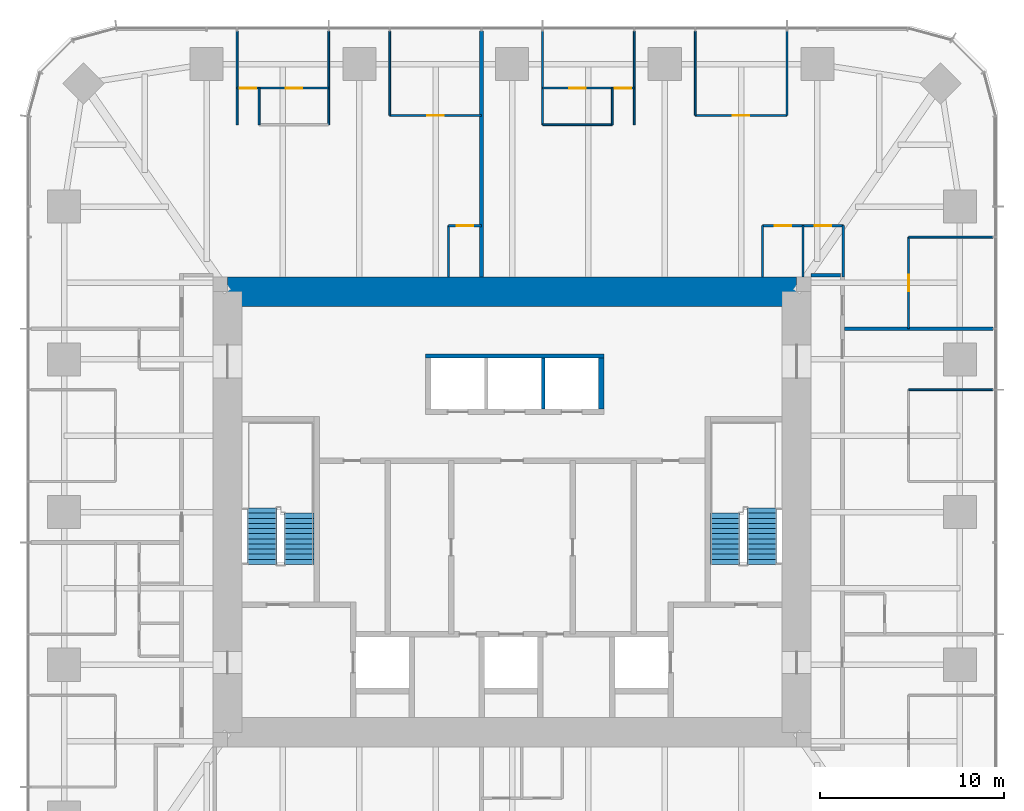
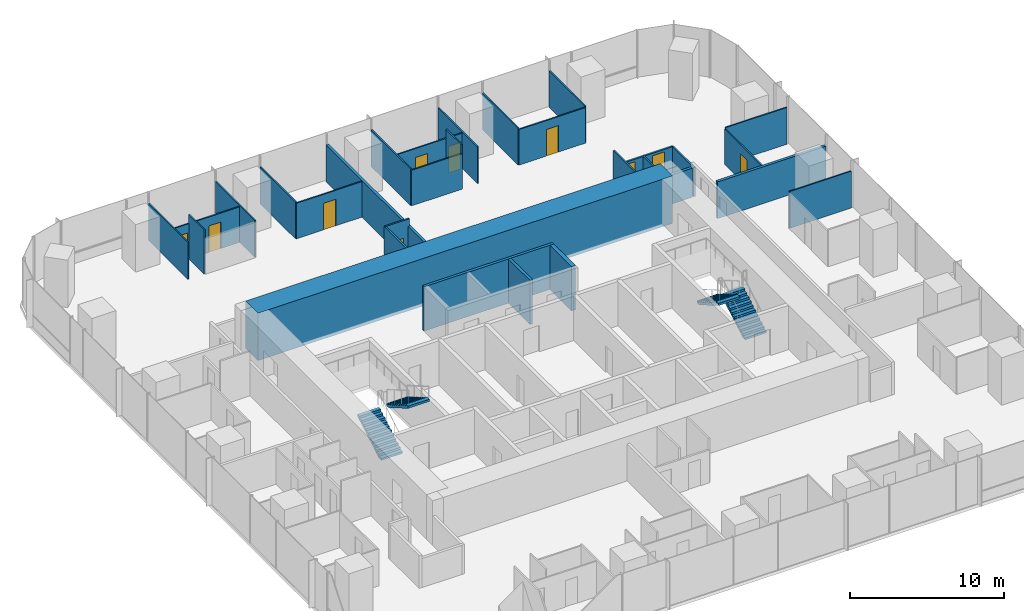
# One storey, part 11 of 12: 30 walls, 10 doors, 4 stair flights, 10 openings, 2 elements without a shape of their own.
"""IFC4 building model written with IfcOpenShell, lengths in metres."""

from ifc_helpers import new_model, si_unit, direction, frame, frame_2d, origin, place, context, subcontext, project, spatial, polyline, rectangle, outline, extrude, material, layer, layer_set, type_object, element, fill, aggregate, save


model = new_model("IFC4")

# Units and contexts
model_context = context("Model", 3, precision=1e-05, world=origin(), true_north=direction((0.0, 1.0)))
body_context = subcontext(model_context, "Body", "Model", "MODEL_VIEW")
ifc_project = project(units=[si_unit("LENGTHUNIT", "METRE"), si_unit("AREAUNIT", "SQUARE_METRE"), si_unit("VOLUMEUNIT", "CUBIC_METRE"), si_unit("PLANEANGLEUNIT", "RADIAN"), si_unit("MASSUNIT", "GRAM", prefix="KILO")], contexts=[model_context])

# Site, building, storey
site_placement = place(None, origin())
site = spatial("IfcSite", under=ifc_project, at=site_placement, CompositionType="ELEMENT")
building_placement = place(site_placement, origin())
building = spatial("IfcBuilding", under=site, at=building_placement, Name="Khuree Lantern Residences", CompositionType="ELEMENT")
storey_placement = place(building_placement, frame((0.0, 0.0, 214.5)))
storey = spatial("IfcBuildingStorey", under=building, at=storey_placement, Name="L53", CompositionType="ELEMENT", Elevation=214.5)

# Wall, openings, doors
ifc_material_1 = material(Name="Moisture-resistant gypsum board on steel studs", Category="steel")
ifc_layer_1 = layer(ifc_material_1, 0.125)
ifc_layer_set_1 = layer_set([ifc_layer_1], Name="BATHROOM WALL BTW125")
wall_type_1 = type_object("IfcWallType", Name="BATHROOM WALL BTW125", PredefinedType="PARTITIONING", material=ifc_layer_set_1)
wall_1_placement = place(storey_placement, frame((18.050048828125, 15.60009765625, 0.0), z_axis=(0.0, 0.0, 1.0), x_axis=(-1.0, 0.0, 0.0)))
wall_1 = element("IfcWall", 1, at=wall_1_placement, inside=storey, type_object=wall_type_1, Name="L53 BATHROOM WALL 02", PredefinedType="PARTITIONING", context=body_context, shape_type="SweptSolid", body=[
    extrude(rectangle(XDim=4.400146484375, YDim=0.125, at=frame_2d((2.2001953125, 0.0))), origin(), (0.0, 0.0, 1.0), 2.300048828125),
])
opening_1_placement = place(wall_1_placement, frame((0.64990234375, 0.0, 0.0)))
opening_1 = element("IfcOpeningElement", 2, at=opening_1_placement, cuts=wall_1, Name="Opening 53-027", PredefinedType="OPENING", context=body_context, shape_type="SweptSolid", body=[
    extrude(rectangle(XDim=0.89990234375, YDim=2.10009765625, at=frame_2d((0.449951171875, 1.050048828125))), frame((0.0, 0.072509765625, 0.0), z_axis=(0.0, -1.0, 0.0), x_axis=(1.0, 0.0, 0.0)), (0.0, 0.0, 1.0), 0.14501953125),
])
opening_2_placement = place(wall_1_placement, frame((2.85009765625, 0.0, 0.0)))
opening_2 = element("IfcOpeningElement", 3, at=opening_2_placement, cuts=wall_1, Name="Opening 53-028", PredefinedType="OPENING", context=body_context, shape_type="SweptSolid", body=[
    extrude(rectangle(XDim=0.89990234375, YDim=2.10009765625, at=frame_2d((0.449951171875, 1.050048828125))), frame((0.0, 0.072509765625, 0.0), z_axis=(0.0, -1.0, 0.0), x_axis=(1.0, 0.0, 0.0)), (0.0, 0.0, 1.0), 0.14501953125),
])
ifc_material_2 = material(Name="Timber door leaf in hardwood frame", Category="wood")
door_type_1 = type_object("IfcDoorType", Name="BATHROOM DOOR 900X2100", OperationType="SINGLE_SWING_LEFT", PredefinedType="DOOR", material=ifc_material_2)
door_1_placement = place(opening_1_placement, origin())
door_1 = element("IfcDoor", 4, at=door_1_placement, inside=storey, type_object=door_type_1, Name="Bathroom door 53-027", OperationType="SINGLE_SWING_LEFT", OverallHeight=2.10009765625, OverallWidth=0.89990234375, PredefinedType="DOOR", context=body_context, shape_type="SweptSolid", body=[
    extrude(rectangle(XDim=0.89990234375, YDim=2.10009765625, at=frame_2d((0.449951171875, 1.050048828125))), frame((0.0, 0.02490234375, 0.0), z_axis=(0.0, -1.0, 0.0), x_axis=(1.0, 0.0, 0.0)), (0.0, 0.0, 1.0), 0.050048828125),
])
fill(opening_1, door_1)
door_2_placement = place(opening_2_placement, origin())
door_2 = element("IfcDoor", 5, at=door_2_placement, inside=storey, type_object=door_type_1, Name="Bathroom door 53-028", OperationType="SINGLE_SWING_LEFT", OverallHeight=2.10009765625, OverallWidth=0.89990234375, PredefinedType="DOOR", context=body_context, shape_type="SweptSolid", body=[
    extrude(rectangle(XDim=0.89990234375, YDim=2.10009765625, at=frame_2d((0.449951171875, 1.050048828125))), frame((0.0, 0.02490234375, 0.0), z_axis=(0.0, -1.0, 0.0), x_axis=(1.0, 0.0, 0.0)), (0.0, 0.0, 1.0), 0.050048828125),
])
fill(opening_2, door_2)

# Walls
for number, where, z_axis, x_axis, name in (
    (6, (18.050048828125, 12.800048828125, 0.0), (0.0, 0.0, 1.0), (0.0, 1.0, 0.0), "L53 BATHROOM WALL 02"),
    (7, (15.85009765625, 12.800048828125, 0.0), (0.0, 0.0, 1.0), (0.0, 1.0, 0.0), "L53 BATHROOM WALL 02"),
):
    element("IfcWall", number, at=place(storey_placement, frame(where, z_axis=z_axis, x_axis=x_axis)), inside=storey, type_object=wall_type_1, Name=name, PredefinedType="PARTITIONING", context=body_context, shape_type="SweptSolid", body=[
        extrude(rectangle(XDim=2.800048828125, YDim=0.125, at=frame_2d((1.39990234375, 0.0))), origin(), (0.0, 0.0, 1.0), 2.300048828125),
    ])
wall_2_placement = place(storey_placement, frame((13.64990234375, 12.800048828125, 0.0), z_axis=(0.0, 0.0, 1.0), x_axis=(0.0, 1.0, 0.0)))
element("IfcWall", 8, at=wall_2_placement, inside=storey, type_object=wall_type_1, Name="L53 BATHROOM WALL 02", PredefinedType="PARTITIONING", context=body_context, shape_type="SweptSolid", body=[
    extrude(rectangle(XDim=2.800048828125, YDim=0.125, at=frame_2d((1.39990234375, 0.0))), origin(), (0.0, 0.0, 1.0), 3.5),
])

# Wall, opening, door
wall_3_placement = place(storey_placement, frame((-1.6640625, 15.60009765625, 0.0), z_axis=(0.0, 0.0, 1.0), x_axis=(-1.0, 0.0, 0.0)))
wall_3 = element("IfcWall", 9, at=wall_3_placement, inside=storey, type_object=wall_type_1, Name="L53 BATHROOM WALL 03", PredefinedType="PARTITIONING", context=body_context, shape_type="SweptSolid", body=[
    extrude(rectangle(XDim=1.800048828125, YDim=0.125, at=frame_2d((0.89990234375, 0.0))), origin(), (0.0, 0.0, 1.0), 3.5),
])
opening_3_placement = place(wall_3_placement, frame((0.449951171875, 0.0, 0.0)))
opening_3 = element("IfcOpeningElement", 10, at=opening_3_placement, cuts=wall_3, Name="Opening 53-033", PredefinedType="OPENING", context=body_context, shape_type="SweptSolid", body=[
    extrude(rectangle(XDim=0.89990234375, YDim=2.10009765625, at=frame_2d((0.449951171875, 1.050048828125))), frame((0.0, 0.072509765625, 0.0), z_axis=(0.0, -1.0, 0.0), x_axis=(1.0, 0.0, 0.0)), (0.0, 0.0, 1.0), 0.14501953125),
])
door_3_placement = place(opening_3_placement, origin())
door_3 = element("IfcDoor", 11, at=door_3_placement, inside=storey, type_object=door_type_1, Name="Bathroom door 53-033", OperationType="SINGLE_SWING_LEFT", OverallHeight=2.10009765625, OverallWidth=0.89990234375, PredefinedType="DOOR", context=body_context, shape_type="SweptSolid", body=[
    extrude(rectangle(XDim=0.89990234375, YDim=2.10009765625, at=frame_2d((0.449951171875, 1.050048828125))), frame((0.0, 0.02490234375, 0.0), z_axis=(0.0, -1.0, 0.0), x_axis=(1.0, 0.0, 0.0)), (0.0, 0.0, 1.0), 0.050048828125),
])
fill(opening_3, door_3)

# Walls
wall_4_placement = place(storey_placement, frame((-3.464111328125, 12.800048828125, 0.0), z_axis=(0.0, 0.0, 1.0), x_axis=(0.0, 1.0, 0.0)))
element("IfcWall", 12, at=wall_4_placement, inside=storey, type_object=wall_type_1, Name="L53 BATHROOM WALL 03", PredefinedType="PARTITIONING", context=body_context, shape_type="SweptSolid", body=[
    extrude(rectangle(XDim=2.800048828125, YDim=0.125, at=frame_2d((1.39990234375, 0.0))), origin(), (0.0, 0.0, 1.0), 3.5),
])
ifc_material_3 = material(Name="Dense concrete blockwork", Category="masonry")
ifc_layer_2 = layer(ifc_material_3, 0.300048828125)
ifc_layer_set_2 = layer_set([ifc_layer_2], Name="CORE PARTITION WALL CPW300 EI 120")
wall_type_2 = type_object("IfcWallType", Name="CORE PARTITION WALL CPW300 EI 120", PredefinedType="PARTITIONING", material=ifc_layer_set_2)
wall_5_placement = place(storey_placement, frame((4.85009765625, 5.60009765625, 0.0), z_axis=(0.0, 0.0, 1.0), x_axis=(0.0, 1.0, 0.0)))
element("IfcWall", 13, at=wall_5_placement, inside=storey, type_object=wall_type_2, Name="L53 CORE WALL PHE", PredefinedType="PARTITIONING", context=body_context, shape_type="SweptSolid", body=[
    extrude(rectangle(XDim=2.7998046875, YDim=0.300048828125, at=frame_2d((1.39990234375, 0.0))), origin(), (0.0, 0.0, 1.0), 3.5),
])
ifc_material_4 = material(Name="Gypsum board on steel studs", Category="steel")
ifc_layer_3 = layer(ifc_material_4, 0.199951171875)
ifc_layer_set_3 = layer_set([ifc_layer_3], Name="CORRIDOR WALL CRW200 EI 60")
wall_type_3 = type_object("IfcWallType", Name="CORRIDOR WALL CRW200 EI 60", PredefinedType="PARTITIONING", material=ifc_layer_set_3)
wall_6_placement = place(storey_placement, frame((16.300048828125, 12.89990234375, 0.0), z_axis=(0.0, 0.0, 1.0), x_axis=(1.0, 0.0, 0.0)))
element("IfcWall", 14, at=wall_6_placement, inside=storey, type_object=wall_type_3, Name="L53 EAST CORRIDOR NORTH END WALL", PredefinedType="PARTITIONING", context=body_context, shape_type="SweptSolid", body=[
    extrude(rectangle(XDim=1.599853515625, YDim=0.199951171875, at=frame_2d((0.7998046875, 0.0))), origin(), (0.0, 0.0, 1.0), 2.300048828125),
])
ifc_material_5 = material(Name="Concrete C50/60", Category="concrete")
ifc_layer_4 = layer(ifc_material_5, 1.60009765625)
ifc_layer_set_4 = layer_set([ifc_layer_4], Name="CW1600-C50 CORE WALL C50 1600")
wall_type_4 = type_object("IfcWallType", Name="CW1600-C50 CORE WALL C50 1600", PredefinedType="SHEAR", material=ifc_layer_set_4)
wall_7_placement = place(storey_placement, frame((-15.5, 12.0, -0.25), z_axis=(0.0, 0.0, 1.0), x_axis=(1.0, 0.0, 0.0)))
element("IfcWall", 15, at=wall_7_placement, inside=storey, type_object=wall_type_4, Name="Core wall N", PredefinedType="SHEAR", context=body_context, shape_type="SweptSolid", body=[
    extrude(rectangle(XDim=31.0, YDim=1.60009765625, at=frame_2d((15.5, 0.0))), origin(), (0.0, 0.0, 1.0), 3.75),
])
ifc_layer_5 = layer(ifc_material_4, 0.199951171875)
ifc_layer_set_5 = layer_set([ifc_layer_5], Name="DEMISING WALL DMW200 EI 90")
wall_type_5 = type_object("IfcWallType", Name="DEMISING WALL DMW200 EI 90", PredefinedType="PARTITIONING", material=ifc_layer_set_5)
wall_8_placement = place(storey_placement, frame((18.10009765625, 9.98388671875, 0.0), z_axis=(0.0, 0.0, 1.0), x_axis=(1.0, 0.0, 0.0)))
element("IfcWall", 16, at=wall_8_placement, inside=storey, type_object=wall_type_5, Name="L53 DEMISING WALL 02", PredefinedType="PARTITIONING", context=body_context, shape_type="SweptSolid", body=[
    extrude(rectangle(XDim=8.099853515625, YDim=0.199951171875, at=frame_2d((4.0498046875, 0.0))), origin(), (0.0, 0.0, 1.0), 2.909912109375),
])
wall_9_placement = place(storey_placement, frame((-1.6640625, 12.800048828125, 0.0), z_axis=(0.0, 0.0, 1.0), x_axis=(0.0, 1.0, 0.0)))
element("IfcWall", 17, at=wall_9_placement, inside=storey, type_object=wall_type_5, Name="L53 DEMISING WALL 03", PredefinedType="PARTITIONING", context=body_context, shape_type="SweptSolid", body=[
    extrude(rectangle(XDim=13.39990234375, YDim=0.199951171875, at=frame_2d((6.699951171875, 0.0))), origin(), (0.0, 0.0, 1.0), 2.909912109375),
])
ifc_layer_6 = layer(ifc_material_4, 0.10009765625)
ifc_layer_set_6 = layer_set([ifc_layer_6], Name="PARTITION PT100")
wall_type_6 = type_object("IfcWallType", Name="PARTITION PT100", PredefinedType="PARTITIONING", material=ifc_layer_set_6)
for number, where, z_axis, x_axis, name in (
    (18, (21.60009765625, 6.656005859375, 0.0), (0.0, 0.0, 1.0), (1.0, 0.0, 0.0), "L53 PARTITION 01"),
    (19, (21.60009765625, 14.97607421875, 0.0), (0.0, 0.0, 1.0), (1.0, 0.0, 0.0), "L53 PARTITION 02"),
    (20, (14.97607421875, 21.60009765625, 0.0), (0.0, 0.0, 1.0), (0.0, 1.0, 0.0), "L53 PARTITION 02"),
    (21, (9.98388671875, 21.60009765625, 0.0), (0.0, 0.0, 1.0), (0.0, 1.0, 0.0), "L53 PARTITION 02"),
):
    element("IfcWall", number, at=place(storey_placement, frame(where, z_axis=z_axis, x_axis=x_axis)), inside=storey, type_object=wall_type_6, Name=name, PredefinedType="PARTITIONING", context=body_context, shape_type="SweptSolid", body=[
        extrude(rectangle(XDim=4.599853515625, YDim=0.10009765625, at=frame_2d((2.2998046875, 0.0))), origin(), (0.0, 0.0, 1.0), 2.909912109375),
    ])
for number, where, z_axis, x_axis, name in (
    (22, (6.656005859375, 21.094970703125, 0.0), (0.0, 0.0, 1.0), (0.0, 1.0, 0.0), "L53 PARTITION 02"),
    (23, (1.6640625, 21.094970703125, 0.0), (0.0, 0.0, 1.0), (0.0, 1.0, 0.0), "L53 PARTITION 02"),
):
    element("IfcWall", number, at=place(storey_placement, frame(where, z_axis=z_axis, x_axis=x_axis)), inside=storey, type_object=wall_type_6, Name=name, PredefinedType="PARTITIONING", context=body_context, shape_type="SweptSolid", body=[
        extrude(rectangle(XDim=5.10498046875, YDim=0.10009765625, at=frame_2d((2.552490234375, 0.0))), origin(), (0.0, 0.0, 1.0), 2.909912109375),
    ])
wall_10_placement = place(storey_placement, frame((-6.656005859375, 21.60009765625, 0.0), z_axis=(0.0, 0.0, 1.0), x_axis=(0.0, 1.0, 0.0)))
element("IfcWall", 24, at=wall_10_placement, inside=storey, type_object=wall_type_6, Name="L53 PARTITION 03", PredefinedType="PARTITIONING", context=body_context, shape_type="SweptSolid", body=[
    extrude(rectangle(XDim=4.599853515625, YDim=0.10009765625, at=frame_2d((2.2998046875, 0.0))), origin(), (0.0, 0.0, 1.0), 2.909912109375),
])
for number, where, z_axis, x_axis, name in (
    (25, (-9.98388671875, 21.094970703125, 0.0), (0.0, 0.0, 1.0), (0.0, 1.0, 0.0), "L53 PARTITION 03"),
    (26, (-14.97607421875, 21.094970703125, 0.0), (0.0, 0.0, 1.0), (0.0, 1.0, 0.0), "L53 PARTITION 03"),
):
    element("IfcWall", number, at=place(storey_placement, frame(where, z_axis=z_axis, x_axis=x_axis)), inside=storey, type_object=wall_type_6, Name=name, PredefinedType="PARTITIONING", context=body_context, shape_type="SweptSolid", body=[
        extrude(rectangle(XDim=5.10498046875, YDim=0.10009765625, at=frame_2d((2.552490234375, 0.0))), origin(), (0.0, 0.0, 1.0), 2.909912109375),
    ])

# Wall, opening, door
wall_11_placement = place(storey_placement, frame((21.60009765625, 9.98388671875, 0.0), z_axis=(0.0, 0.0, 1.0), x_axis=(0.0, 1.0, 0.0)))
wall_11 = element("IfcWall", 27, at=wall_11_placement, inside=storey, type_object=wall_type_6, Name="L53 PARTITION 02", PredefinedType="PARTITIONING", context=body_context, shape_type="SweptSolid", body=[
    extrude(rectangle(XDim=4.9921875, YDim=0.10009765625, at=frame_2d((2.49609375, 0.0))), origin(), (0.0, 0.0, 1.0), 2.81005859375),
])
opening_4_placement = place(wall_11_placement, frame((2.0458984375, 0.0, 0.0)))
opening_4 = element("IfcOpeningElement", 28, at=opening_4_placement, cuts=wall_11, Name="Opening 53-023", PredefinedType="OPENING", context=body_context, shape_type="SweptSolid", body=[
    extrude(rectangle(XDim=0.89990234375, YDim=2.10009765625, at=frame_2d((0.449951171875, 1.050048828125))), frame((0.0, 0.06005859375, 0.0), z_axis=(0.0, -1.0, 0.0), x_axis=(1.0, 0.0, 0.0)), (0.0, 0.0, 1.0), 0.1201171875),
])
door_type_2 = type_object("IfcDoorType", Name="BEDROOM DOOR 900X2100", OperationType="SINGLE_SWING_LEFT", PredefinedType="DOOR", material=ifc_material_2)
door_4_placement = place(opening_4_placement, origin())
door_4 = element("IfcDoor", 29, at=door_4_placement, inside=storey, type_object=door_type_2, Name="Bedroom door 53-023", OperationType="SINGLE_SWING_LEFT", OverallHeight=2.10009765625, OverallWidth=0.89990234375, PredefinedType="DOOR", context=body_context, shape_type="SweptSolid", body=[
    extrude(rectangle(XDim=0.89990234375, YDim=2.10009765625, at=frame_2d((0.449951171875, 1.050048828125))), frame((0.0, 0.02490234375, 0.0), z_axis=(0.0, -1.0, 0.0), x_axis=(1.0, 0.0, 0.0)), (0.0, 0.0, 1.0), 0.050048828125),
])
fill(opening_4, door_4)

wall_12_placement = place(storey_placement, frame((14.97607421875, 21.60009765625, 0.0), z_axis=(0.0, 0.0, 1.0), x_axis=(-1.0, 0.0, 0.0)))
wall_12 = element("IfcWall", 30, at=wall_12_placement, inside=storey, type_object=wall_type_6, Name="L53 PARTITION 02", PredefinedType="PARTITIONING", context=body_context, shape_type="SweptSolid", body=[
    extrude(rectangle(XDim=4.9921875, YDim=0.10009765625, at=frame_2d((2.49609375, 0.0))), origin(), (0.0, 0.0, 1.0), 2.81005859375),
])
opening_5_placement = place(wall_12_placement, frame((2.0458984375, 0.0, 0.0)))
opening_5 = element("IfcOpeningElement", 31, at=opening_5_placement, cuts=wall_12, Name="Opening 53-024", PredefinedType="OPENING", context=body_context, shape_type="SweptSolid", body=[
    extrude(rectangle(XDim=0.89990234375, YDim=2.10009765625, at=frame_2d((0.449951171875, 1.050048828125))), frame((0.0, 0.06005859375, 0.0), z_axis=(0.0, -1.0, 0.0), x_axis=(1.0, 0.0, 0.0)), (0.0, 0.0, 1.0), 0.1201171875),
])
door_5_placement = place(opening_5_placement, origin())
door_5 = element("IfcDoor", 32, at=door_5_placement, inside=storey, type_object=door_type_2, Name="Bedroom door 53-024", OperationType="SINGLE_SWING_LEFT", OverallHeight=2.10009765625, OverallWidth=0.89990234375, PredefinedType="DOOR", context=body_context, shape_type="SweptSolid", body=[
    extrude(rectangle(XDim=0.89990234375, YDim=2.10009765625, at=frame_2d((0.449951171875, 1.050048828125))), frame((0.0, 0.02490234375, 0.0), z_axis=(0.0, -1.0, 0.0), x_axis=(1.0, 0.0, 0.0)), (0.0, 0.0, 1.0), 0.050048828125),
])
fill(opening_5, door_5)

# Wall, openings, doors
wall_13_placement = place(storey_placement, frame((6.656005859375, 23.094970703125, 0.0), z_axis=(0.0, 0.0, 1.0), x_axis=(-1.0, 0.0, 0.0)))
wall_13 = element("IfcWall", 33, at=wall_13_placement, inside=storey, type_object=wall_type_6, Name="L53 PARTITION 02", PredefinedType="PARTITIONING", context=body_context, shape_type="SweptSolid", body=[
    extrude(rectangle(XDim=4.991943359375, YDim=0.10009765625, at=frame_2d((2.49609375, 0.0))), origin(), (0.0, 0.0, 1.0), 2.81005859375),
])
opening_6_placement = place(wall_13_placement, frame((0.14990234375, 0.0, 0.0)))
opening_6 = element("IfcOpeningElement", 34, at=opening_6_placement, cuts=wall_13, Name="Opening 53-025", PredefinedType="OPENING", context=body_context, shape_type="SweptSolid", body=[
    extrude(rectangle(XDim=0.89990234375, YDim=2.10009765625, at=frame_2d((0.449951171875, 1.050048828125))), frame((0.0, 0.06005859375, 0.0), z_axis=(0.0, -1.0, 0.0), x_axis=(1.0, 0.0, 0.0)), (0.0, 0.0, 1.0), 0.1201171875),
])
opening_7_placement = place(wall_13_placement, frame((2.64599609375, 0.0, 0.0)))
opening_7 = element("IfcOpeningElement", 35, at=opening_7_placement, cuts=wall_13, Name="Opening 53-026", PredefinedType="OPENING", context=body_context, shape_type="SweptSolid", body=[
    extrude(rectangle(XDim=0.89990234375, YDim=2.10009765625, at=frame_2d((0.449951171875, 1.050048828125))), frame((0.0, 0.06005859375, 0.0), z_axis=(0.0, -1.0, 0.0), x_axis=(1.0, 0.0, 0.0)), (0.0, 0.0, 1.0), 0.1201171875),
])
door_6_placement = place(opening_6_placement, origin())
door_6 = element("IfcDoor", 36, at=door_6_placement, inside=storey, type_object=door_type_2, Name="Bedroom door 53-025", OperationType="SINGLE_SWING_LEFT", OverallHeight=2.10009765625, OverallWidth=0.89990234375, PredefinedType="DOOR", context=body_context, shape_type="SweptSolid", body=[
    extrude(rectangle(XDim=0.89990234375, YDim=2.10009765625, at=frame_2d((0.449951171875, 1.050048828125))), frame((0.0, 0.02490234375, 0.0), z_axis=(0.0, -1.0, 0.0), x_axis=(1.0, 0.0, 0.0)), (0.0, 0.0, 1.0), 0.050048828125),
])
fill(opening_6, door_6)
door_type_3 = type_object("IfcDoorType", Name="DOOR 900X2100", OperationType="SINGLE_SWING_LEFT", PredefinedType="DOOR", material=ifc_material_2)
door_7_placement = place(opening_7_placement, origin())
door_7 = element("IfcDoor", 37, at=door_7_placement, inside=storey, type_object=door_type_3, Name="Wardrobe door 53-026", OperationType="SINGLE_SWING_LEFT", OverallHeight=2.10009765625, OverallWidth=0.89990234375, PredefinedType="DOOR", context=body_context, shape_type="SweptSolid", body=[
    extrude(rectangle(XDim=0.89990234375, YDim=2.10009765625, at=frame_2d((0.449951171875, 1.050048828125))), frame((0.0, 0.02490234375, 0.0), z_axis=(0.0, -1.0, 0.0), x_axis=(1.0, 0.0, 0.0)), (0.0, 0.0, 1.0), 0.050048828125),
])
fill(opening_7, door_7)

# Walls
wall_14_placement = place(storey_placement, frame((5.4560546875, 21.094970703125, 0.0), z_axis=(0.0, 0.0, 1.0), x_axis=(0.0, 1.0, 0.0)))
element("IfcWall", 38, at=wall_14_placement, inside=storey, type_object=wall_type_6, Name="L53 PARTITION 02", PredefinedType="PARTITIONING", context=body_context, shape_type="SweptSolid", body=[
    extrude(rectangle(XDim=2.0, YDim=0.10009765625, at=frame_2d((1.0, 0.0))), origin(), (0.0, 0.0, 1.0), 3.5),
])
wall_15_placement = place(storey_placement, frame((5.4560546875, 21.094970703125, 0.0), z_axis=(0.0, 0.0, 1.0), x_axis=(-1.0, 0.0, 0.0)))
element("IfcWall", 39, at=wall_15_placement, inside=storey, type_object=wall_type_6, Name="L53 PARTITION 02", PredefinedType="PARTITIONING", context=body_context, shape_type="SweptSolid", body=[
    extrude(rectangle(XDim=3.7919921875, YDim=0.10009765625, at=frame_2d((1.89599609375, 0.0))), origin(), (0.0, 0.0, 1.0), 2.81005859375),
])

# Wall, opening, door
wall_16_placement = place(storey_placement, frame((-1.6640625, 21.60009765625, 0.0), z_axis=(0.0, 0.0, 1.0), x_axis=(-1.0, 0.0, 0.0)))
wall_16 = element("IfcWall", 40, at=wall_16_placement, inside=storey, type_object=wall_type_6, Name="L53 PARTITION 03", PredefinedType="PARTITIONING", context=body_context, shape_type="SweptSolid", body=[
    extrude(rectangle(XDim=4.991943359375, YDim=0.10009765625, at=frame_2d((2.49609375, 0.0))), origin(), (0.0, 0.0, 1.0), 2.81005859375),
])
opening_8_placement = place(wall_16_placement, frame((2.0458984375, 0.0, 0.0)))
opening_8 = element("IfcOpeningElement", 41, at=opening_8_placement, cuts=wall_16, Name="Opening 53-030", PredefinedType="OPENING", context=body_context, shape_type="SweptSolid", body=[
    extrude(rectangle(XDim=0.89990234375, YDim=2.10009765625, at=frame_2d((0.449951171875, 1.050048828125))), frame((0.0, 0.06005859375, 0.0), z_axis=(0.0, -1.0, 0.0), x_axis=(1.0, 0.0, 0.0)), (0.0, 0.0, 1.0), 0.1201171875),
])
door_8_placement = place(opening_8_placement, origin())
door_8 = element("IfcDoor", 42, at=door_8_placement, inside=storey, type_object=door_type_2, Name="Bedroom door 53-030", OperationType="SINGLE_SWING_LEFT", OverallHeight=2.10009765625, OverallWidth=0.89990234375, PredefinedType="DOOR", context=body_context, shape_type="SweptSolid", body=[
    extrude(rectangle(XDim=0.89990234375, YDim=2.10009765625, at=frame_2d((0.449951171875, 1.050048828125))), frame((0.0, 0.02490234375, 0.0), z_axis=(0.0, -1.0, 0.0), x_axis=(1.0, 0.0, 0.0)), (0.0, 0.0, 1.0), 0.050048828125),
])
fill(opening_8, door_8)

# Wall, openings, doors
wall_17_placement = place(storey_placement, frame((-9.98388671875, 23.094970703125, 0.0), z_axis=(0.0, 0.0, 1.0), x_axis=(-1.0, 0.0, 0.0)))
wall_17 = element("IfcWall", 43, at=wall_17_placement, inside=storey, type_object=wall_type_6, Name="L53 PARTITION 03", PredefinedType="PARTITIONING", context=body_context, shape_type="SweptSolid", body=[
    extrude(rectangle(XDim=4.9921875, YDim=0.10009765625, at=frame_2d((2.49609375, 0.0))), origin(), (0.0, 0.0, 1.0), 2.81005859375),
])
opening_9_placement = place(wall_17_placement, frame((3.94189453125, 0.0, 0.0)))
opening_9 = element("IfcOpeningElement", 44, at=opening_9_placement, cuts=wall_17, Name="Opening 53-031", PredefinedType="OPENING", context=body_context, shape_type="SweptSolid", body=[
    extrude(rectangle(XDim=0.89990234375, YDim=2.10009765625, at=frame_2d((0.449951171875, 1.050048828125))), frame((0.0, 0.06005859375, 0.0), z_axis=(0.0, -1.0, 0.0), x_axis=(1.0, 0.0, 0.0)), (0.0, 0.0, 1.0), 0.1201171875),
])
opening_10_placement = place(wall_17_placement, frame((1.446044921875, 0.0, 0.0)))
opening_10 = element("IfcOpeningElement", 45, at=opening_10_placement, cuts=wall_17, Name="Opening 53-032", PredefinedType="OPENING", context=body_context, shape_type="SweptSolid", body=[
    extrude(rectangle(XDim=0.89990234375, YDim=2.10009765625, at=frame_2d((0.449951171875, 1.050048828125))), frame((0.0, 0.06005859375, 0.0), z_axis=(0.0, -1.0, 0.0), x_axis=(1.0, 0.0, 0.0)), (0.0, 0.0, 1.0), 0.1201171875),
])
door_9_placement = place(opening_10_placement, origin())
door_9 = element("IfcDoor", 46, at=door_9_placement, inside=storey, type_object=door_type_1, Name="Bathroom door 53-032", OperationType="SINGLE_SWING_LEFT", OverallHeight=2.10009765625, OverallWidth=0.89990234375, PredefinedType="DOOR", context=body_context, shape_type="SweptSolid", body=[
    extrude(rectangle(XDim=0.89990234375, YDim=2.10009765625, at=frame_2d((0.449951171875, 1.050048828125))), frame((0.0, 0.02490234375, 0.0), z_axis=(0.0, -1.0, 0.0), x_axis=(1.0, 0.0, 0.0)), (0.0, 0.0, 1.0), 0.050048828125),
])
fill(opening_10, door_9)
door_10_placement = place(opening_9_placement, origin())
door_10 = element("IfcDoor", 47, at=door_10_placement, inside=storey, type_object=door_type_2, Name="Bedroom door 53-031", OperationType="SINGLE_SWING_LEFT", OverallHeight=2.10009765625, OverallWidth=0.89990234375, PredefinedType="DOOR", context=body_context, shape_type="SweptSolid", body=[
    extrude(rectangle(XDim=0.89990234375, YDim=2.10009765625, at=frame_2d((0.449951171875, 1.050048828125))), frame((0.0, 0.02490234375, 0.0), z_axis=(0.0, -1.0, 0.0), x_axis=(1.0, 0.0, 0.0)), (0.0, 0.0, 1.0), 0.050048828125),
])
fill(opening_9, door_10)

# Walls
wall_18_placement = place(storey_placement, frame((-13.77587890625, 21.094970703125, 0.0), z_axis=(0.0, 0.0, 1.0), x_axis=(0.0, 1.0, 0.0)))
element("IfcWall", 48, at=wall_18_placement, inside=storey, type_object=wall_type_6, Name="L53 PARTITION 03", PredefinedType="PARTITIONING", context=body_context, shape_type="SweptSolid", body=[
    extrude(rectangle(XDim=2.0, YDim=0.10009765625, at=frame_2d((1.0, 0.0))), origin(), (0.0, 0.0, 1.0), 3.5),
])
ifc_layer_7 = layer(ifc_material_3, 0.199951171875)
ifc_layer_set_7 = layer_set([ifc_layer_7], Name="SHAFT WALL SHW200 EI 120")
wall_type_7 = type_object("IfcWallType", Name="SHAFT WALL SHW200 EI 120", PredefinedType="PARTITIONING", material=ifc_layer_set_7)
wall_19_placement = place(storey_placement, frame((-4.699951171875, 8.5, 0.0), z_axis=(0.0, 0.0, 1.0), x_axis=(1.0, 0.0, 0.0)))
element("IfcWall", 49, at=wall_19_placement, inside=storey, type_object=wall_type_7, Name="L53 CORE WALL PHN", PredefinedType="PARTITIONING", context=body_context, shape_type="SweptSolid", body=[
    extrude(rectangle(XDim=9.699951171875, YDim=0.199951171875, at=frame_2d((4.85009765625, 0.0))), origin(), (0.0, 0.0, 1.0), 3.5),
])
wall_20_placement = place(storey_placement, frame((1.699951171875, 5.60009765625, 0.0), z_axis=(0.0, 0.0, 1.0), x_axis=(0.0, 1.0, 0.0)))
element("IfcWall", 50, at=wall_20_placement, inside=storey, type_object=wall_type_7, Name="L53 CORE WALL PHD2", PredefinedType="PARTITIONING", context=body_context, shape_type="SweptSolid", body=[
    extrude(rectangle(XDim=2.7998046875, YDim=0.199951171875, at=frame_2d((1.39990234375, 0.0))), origin(), (0.0, 0.0, 1.0), 3.5),
])

# Stair, stair flights
ifc_material_6 = material(Name="Concrete C40/50", Category="concrete")
stair_type = type_object("IfcStairType", Name="STAIR ST1 HALF TURN 3600", PredefinedType="HALF_TURN_STAIR", material=ifc_material_6)
stair_1_placement = place(storey_placement, origin())
stair_1 = element("IfcStair", 51, at=stair_1_placement, inside=storey, type_object=stair_type, Name="Stair ST1", PredefinedType="HALF_TURN_STAIR")
stair_flight_type = type_object("IfcStairFlightType", Name="STAIR FLIGHT SF1 1600", PredefinedType="STRAIGHT", material=ifc_material_6)
stair_flight_1_placement = place(storey_placement, frame((-13.60009765625, -2.860107421875, 0.0), z_axis=(0.0, 0.0, 1.0), x_axis=(0.0, 1.0, 0.0)))
stair_flight_1 = element("IfcStairFlight", 52, at=stair_flight_1_placement, type_object=stair_flight_type, Name="ST1 flight 1", NumberOfRisers=12, NumberOfTreads=11, PredefinedType="STRAIGHT", RiserHeight=0.163043478, TreadLength=0.28, context=body_context, shape_type="SweptSolid", body=[
    extrude(outline(polyline([(0.0, 0.0), (0.0, 0.1630859375), (0.280029296875, 0.1630859375), (0.280029296875, 0.326171875), (0.56005859375, 0.326171875), (0.56005859375, 0.489013671875), (0.840087890625, 0.489013671875), (0.840087890625, 0.652099609375), (1.1201171875, 0.652099609375), (1.1201171875, 0.815185546875), (1.39990234375, 0.815185546875), (1.39990234375, 0.978271484375), (1.679931640625, 0.978271484375), (1.679931640625, 1.141357421875), (1.9599609375, 1.141357421875), (1.9599609375, 1.304443359375), (2.239990234375, 1.304443359375), (2.239990234375, 1.46728515625), (2.52001953125, 1.46728515625), (2.52001953125, 1.63037109375), (2.800048828125, 1.63037109375), (2.800048828125, 1.79345703125), (3.080078125, 1.79345703125), (3.080078125, 1.95654296875), (3.080078125, 1.6201171875), (0.2978515625, 0.0), (0.0, 0.0)])), frame((0.0, 0.800048828125, 0.0), z_axis=(0.0, -1.0, 0.0), x_axis=(1.0, 0.0, 0.0)), (0.0, 0.0, 1.0), 1.60009765625),
])
stair_flight_2_placement = place(storey_placement, frame((-11.60009765625, -0.06005859375, 1.95654296875), z_axis=(0.0, 0.0, 1.0), x_axis=(0.0, -1.0, 0.0)))
stair_flight_2 = element("IfcStairFlight", 53, at=stair_flight_2_placement, type_object=stair_flight_type, Name="ST1 flight 2", NumberOfRisers=11, NumberOfTreads=10, PredefinedType="STRAIGHT", RiserHeight=0.163043478, TreadLength=0.28, context=body_context, shape_type="SweptSolid", body=[
    extrude(outline(polyline([(0.0, 0.0), (0.0, 0.1630859375), (0.280029296875, 0.1630859375), (0.280029296875, 0.326171875), (0.56005859375, 0.326171875), (0.56005859375, 0.489013671875), (0.840087890625, 0.489013671875), (0.840087890625, 0.652099609375), (1.1201171875, 0.652099609375), (1.1201171875, 0.815185546875), (1.39990234375, 0.815185546875), (1.39990234375, 0.978271484375), (1.679931640625, 0.978271484375), (1.679931640625, 1.141357421875), (1.9599609375, 1.141357421875), (1.9599609375, 1.304443359375), (2.239990234375, 1.304443359375), (2.239990234375, 1.46728515625), (2.52001953125, 1.46728515625), (2.52001953125, 1.63037109375), (2.800048828125, 1.63037109375), (2.800048828125, 1.79345703125), (2.800048828125, 1.45703125), (0.2978515625, 0.0), (0.0, 0.0)])), frame((0.0, 0.800048828125, 0.0), z_axis=(0.0, -1.0, 0.0), x_axis=(1.0, 0.0, 0.0)), (0.0, 0.0, 1.0), 1.60009765625),
])
aggregate(stair_1, [stair_flight_1, stair_flight_2])

stair_2_placement = place(storey_placement, origin())
stair_2 = element("IfcStair", 54, at=stair_2_placement, inside=storey, type_object=stair_type, Name="Stair ST2", PredefinedType="HALF_TURN_STAIR")
stair_flight_3_placement = place(storey_placement, frame((13.60009765625, -2.860107421875, 0.0), z_axis=(0.0, 0.0, 1.0), x_axis=(0.0, 1.0, 0.0)))
stair_flight_3 = element("IfcStairFlight", 55, at=stair_flight_3_placement, type_object=stair_flight_type, Name="ST2 flight 1", NumberOfRisers=12, NumberOfTreads=11, PredefinedType="STRAIGHT", RiserHeight=0.163043478, TreadLength=0.28, context=body_context, shape_type="SweptSolid", body=[
    extrude(outline(polyline([(0.0, 0.0), (0.0, 0.1630859375), (0.280029296875, 0.1630859375), (0.280029296875, 0.326171875), (0.56005859375, 0.326171875), (0.56005859375, 0.489013671875), (0.840087890625, 0.489013671875), (0.840087890625, 0.652099609375), (1.1201171875, 0.652099609375), (1.1201171875, 0.815185546875), (1.39990234375, 0.815185546875), (1.39990234375, 0.978271484375), (1.679931640625, 0.978271484375), (1.679931640625, 1.141357421875), (1.9599609375, 1.141357421875), (1.9599609375, 1.304443359375), (2.239990234375, 1.304443359375), (2.239990234375, 1.46728515625), (2.52001953125, 1.46728515625), (2.52001953125, 1.63037109375), (2.800048828125, 1.63037109375), (2.800048828125, 1.79345703125), (3.080078125, 1.79345703125), (3.080078125, 1.95654296875), (3.080078125, 1.6201171875), (0.2978515625, 0.0), (0.0, 0.0)])), frame((0.0, 0.800048828125, 0.0), z_axis=(0.0, -1.0, 0.0), x_axis=(1.0, 0.0, 0.0)), (0.0, 0.0, 1.0), 1.60009765625),
])
stair_flight_4_placement = place(storey_placement, frame((11.60009765625, -0.06005859375, 1.95654296875), z_axis=(0.0, 0.0, 1.0), x_axis=(0.0, -1.0, 0.0)))
stair_flight_4 = element("IfcStairFlight", 56, at=stair_flight_4_placement, type_object=stair_flight_type, Name="ST2 flight 2", NumberOfRisers=11, NumberOfTreads=10, PredefinedType="STRAIGHT", RiserHeight=0.163043478, TreadLength=0.28, context=body_context, shape_type="SweptSolid", body=[
    extrude(outline(polyline([(0.0, 0.0), (0.0, 0.1630859375), (0.280029296875, 0.1630859375), (0.280029296875, 0.326171875), (0.56005859375, 0.326171875), (0.56005859375, 0.489013671875), (0.840087890625, 0.489013671875), (0.840087890625, 0.652099609375), (1.1201171875, 0.652099609375), (1.1201171875, 0.815185546875), (1.39990234375, 0.815185546875), (1.39990234375, 0.978271484375), (1.679931640625, 0.978271484375), (1.679931640625, 1.141357421875), (1.9599609375, 1.141357421875), (1.9599609375, 1.304443359375), (2.239990234375, 1.304443359375), (2.239990234375, 1.46728515625), (2.52001953125, 1.46728515625), (2.52001953125, 1.63037109375), (2.800048828125, 1.63037109375), (2.800048828125, 1.79345703125), (2.800048828125, 1.45703125), (0.2978515625, 0.0), (0.0, 0.0)])), frame((0.0, 0.800048828125, 0.0), z_axis=(0.0, -1.0, 0.0), x_axis=(1.0, 0.0, 0.0)), (0.0, 0.0, 1.0), 1.60009765625),
])
aggregate(stair_2, [stair_flight_3, stair_flight_4])

save(model, "model.ifc")
